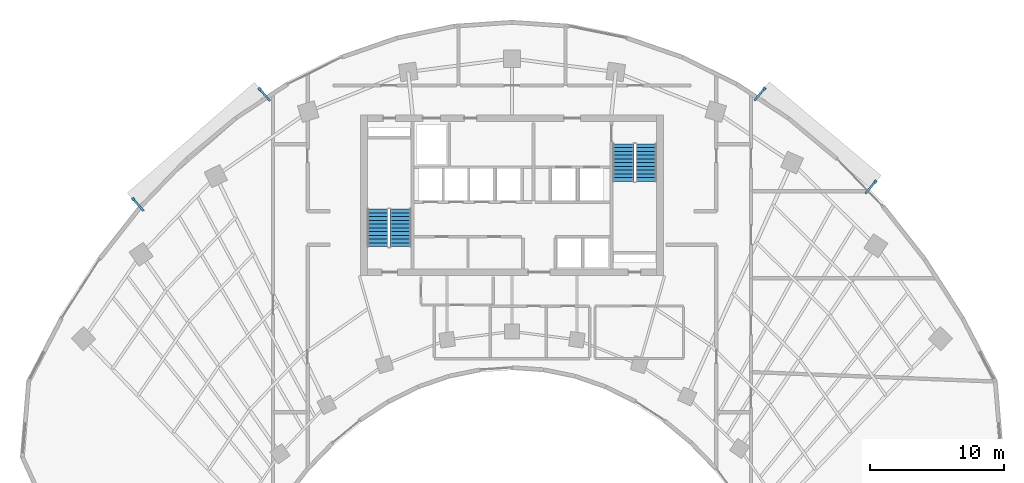
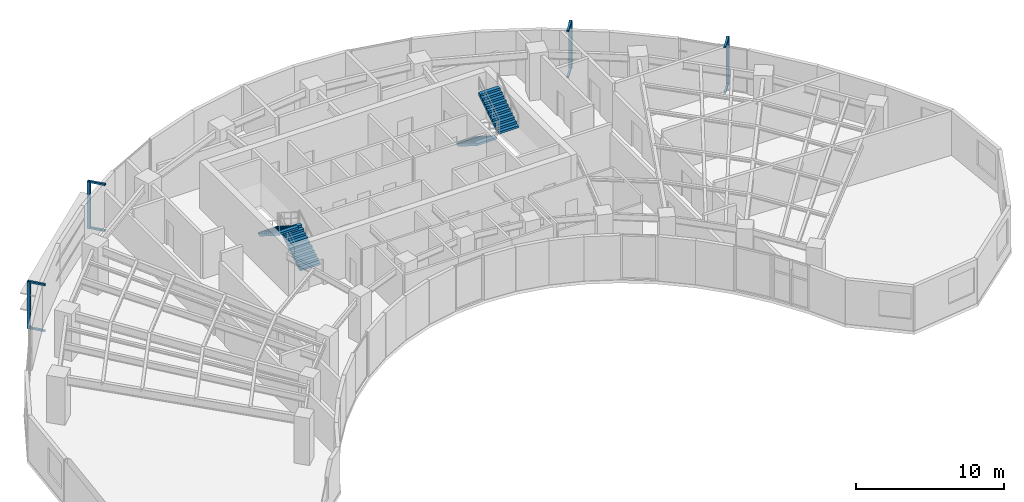
# One storey, part 12 of 14: 12 discrete accessories, 4 stair flights, 2 elements without a shape of their own.
"""IFC4 building model written with IfcOpenShell, lengths in metres."""

from ifc_helpers import new_model, si_unit, direction, frame, origin, origin_2d, place, context, subcontext, project, spatial, polyline, rectangle, outline, extrude, source, transform, mapped, material, type_object, type_shapes, element, aggregate, save


model = new_model("IFC4")

# Units and contexts
model_context = context("Model", 3, precision=1e-05, world=origin(), true_north=direction((0.0, 1.0)))
body_context = subcontext(model_context, "Body", "Model", "MODEL_VIEW")
ifc_project = project(units=[si_unit("LENGTHUNIT", "METRE"), si_unit("AREAUNIT", "SQUARE_METRE"), si_unit("VOLUMEUNIT", "CUBIC_METRE"), si_unit("PLANEANGLEUNIT", "RADIAN"), si_unit("MASSUNIT", "GRAM", prefix="KILO")], contexts=[model_context])

# Site, building, storey
site_placement = place(None, origin())
site = spatial("IfcSite", under=ifc_project, at=site_placement, CompositionType="ELEMENT")
building_placement = place(site_placement, origin())
building = spatial("IfcBuilding", under=site, at=building_placement, Name="Breltana Convention Tower", CompositionType="ELEMENT")
storey_placement = place(building_placement, frame((0.0, 0.0, 119.39990234375)))
storey = spatial("IfcBuildingStorey", under=building, at=storey_placement, Name="L28", CompositionType="ELEMENT", Elevation=119.39990234375)

# Stair, stair flights
ifc_material_1 = material(Name="Concrete C40/50", Category="concrete")
stair_type = type_object("IfcStairType", Name="ST-DOG-1560-R177", PredefinedType="HALF_TURN_STAIR", material=ifc_material_1)
stair_1_placement = place(storey_placement, origin())
stair_1 = element("IfcStair", 1, at=stair_1_placement, inside=storey, type_object=stair_type, Name="L28 Protected Core Exit Stair ST-1", PredefinedType="HALF_TURN_STAIR")
stair_flight_type = type_object("IfcStairFlightType", Name="STF-DOG-1560-N11-R177", PredefinedType="STRAIGHT", material=ifc_material_1)
stair_flight_1_placement = place(storey_placement, frame((39.68994140625, 62.360107421875, 0.0), z_axis=(0.0, 0.0, 1.0), x_axis=(0.0, 1.0, 0.0)))
stair_flight_1 = element("IfcStairFlight", 2, at=stair_flight_1_placement, type_object=stair_flight_type, Name="ST-1 flight 1", NumberOfRisers=11, NumberOfTreads=10, PredefinedType="STRAIGHT", RiserHeight=0.177272727, TreadLength=0.28, context=body_context, shape_type="SweptSolid", body=[
    extrude(outline(polyline([(0.0, 0.0), (0.0, 0.17724609375), (0.280029296875, 0.17724609375), (0.280029296875, 0.3544921875), (0.56005859375, 0.3544921875), (0.56005859375, 0.53173828125), (0.840087890625, 0.53173828125), (0.840087890625, 0.708984375), (1.1201171875, 0.708984375), (1.1201171875, 0.886474609375), (1.39990234375, 0.886474609375), (1.39990234375, 1.063720703125), (1.679931640625, 1.063720703125), (1.679931640625, 1.240966796875), (1.9599609375, 1.240966796875), (1.9599609375, 1.418212890625), (2.239990234375, 1.418212890625), (2.239990234375, 1.595458984375), (2.52001953125, 1.595458984375), (2.52001953125, 1.772705078125), (2.800048828125, 1.772705078125), (2.800048828125, 1.949951171875), (2.800048828125, 1.59521484375), (0.2802734375, 0.0), (0.0, 0.0)])), frame((0.0, 0.780029296875, 0.0), z_axis=(0.0, -1.0, 0.0), x_axis=(1.0, 0.0, 0.0)), (0.0, 0.0, 1.0), 1.56005859375),
])
stair_flight_2_placement = place(storey_placement, frame((37.97998046875, 65.159912109375, 1.9501953125), z_axis=(0.0, 0.0, 1.0), x_axis=(0.0, -1.0, 0.0)))
stair_flight_2 = element("IfcStairFlight", 3, at=stair_flight_2_placement, type_object=stair_flight_type, Name="ST-1 flight 2", NumberOfRisers=11, NumberOfTreads=10, PredefinedType="STRAIGHT", RiserHeight=0.177272727, TreadLength=0.28, context=body_context, shape_type="SweptSolid", body=[
    extrude(outline(polyline([(0.0, 0.0), (0.0, 0.17724609375), (0.280029296875, 0.17724609375), (0.280029296875, 0.3544921875), (0.56005859375, 0.3544921875), (0.56005859375, 0.53173828125), (0.840087890625, 0.53173828125), (0.840087890625, 0.708984375), (1.1201171875, 0.708984375), (1.1201171875, 0.886474609375), (1.39990234375, 0.886474609375), (1.39990234375, 1.063720703125), (1.679931640625, 1.063720703125), (1.679931640625, 1.240966796875), (1.9599609375, 1.240966796875), (1.9599609375, 1.418212890625), (2.239990234375, 1.418212890625), (2.239990234375, 1.595458984375), (2.52001953125, 1.595458984375), (2.52001953125, 1.772705078125), (2.800048828125, 1.772705078125), (2.800048828125, 1.949951171875), (2.800048828125, 1.59521484375), (0.2802734375, 0.0), (0.0, 0.0)])), frame((0.0, 0.780029296875, 0.0), z_axis=(0.0, -1.0, 0.0), x_axis=(1.0, 0.0, 0.0)), (0.0, 0.0, 1.0), 1.56005859375),
])
aggregate(stair_1, [stair_flight_1, stair_flight_2])

stair_2_placement = place(storey_placement, origin())
stair_2 = element("IfcStair", 4, at=stair_2_placement, inside=storey, type_object=stair_type, Name="L28 Protected Core Exit Stair ST-2", PredefinedType="HALF_TURN_STAIR")
stair_flight_3_placement = place(storey_placement, frame((56.31005859375, 70.0400390625, 0.0), z_axis=(0.0, 0.0, 1.0), x_axis=(0.0, -1.0, 0.0)))
stair_flight_3 = element("IfcStairFlight", 5, at=stair_flight_3_placement, type_object=stair_flight_type, Name="ST-2 flight 1", NumberOfRisers=11, NumberOfTreads=10, PredefinedType="STRAIGHT", RiserHeight=0.177272727, TreadLength=0.28, context=body_context, shape_type="SweptSolid", body=[
    extrude(outline(polyline([(0.0, 0.0), (0.0, 0.17724609375), (0.280029296875, 0.17724609375), (0.280029296875, 0.3544921875), (0.56005859375, 0.3544921875), (0.56005859375, 0.53173828125), (0.840087890625, 0.53173828125), (0.840087890625, 0.708984375), (1.1201171875, 0.708984375), (1.1201171875, 0.886474609375), (1.39990234375, 0.886474609375), (1.39990234375, 1.063720703125), (1.679931640625, 1.063720703125), (1.679931640625, 1.240966796875), (1.9599609375, 1.240966796875), (1.9599609375, 1.418212890625), (2.239990234375, 1.418212890625), (2.239990234375, 1.595458984375), (2.52001953125, 1.595458984375), (2.52001953125, 1.772705078125), (2.800048828125, 1.772705078125), (2.800048828125, 1.949951171875), (2.800048828125, 1.59521484375), (0.2802734375, 0.0), (0.0, 0.0)])), frame((0.0, 0.780029296875, 0.0), z_axis=(0.0, -1.0, 0.0), x_axis=(1.0, 0.0, 0.0)), (0.0, 0.0, 1.0), 1.56005859375),
])
stair_flight_4_placement = place(storey_placement, frame((58.02001953125, 67.239990234375, 1.9501953125), z_axis=(0.0, 0.0, 1.0), x_axis=(0.0, 1.0, 0.0)))
stair_flight_4 = element("IfcStairFlight", 6, at=stair_flight_4_placement, type_object=stair_flight_type, Name="ST-2 flight 2", NumberOfRisers=11, NumberOfTreads=10, PredefinedType="STRAIGHT", RiserHeight=0.177272727, TreadLength=0.28, context=body_context, shape_type="SweptSolid", body=[
    extrude(outline(polyline([(0.0, 0.0), (0.0, 0.17724609375), (0.280029296875, 0.17724609375), (0.280029296875, 0.3544921875), (0.56005859375, 0.3544921875), (0.56005859375, 0.53173828125), (0.840087890625, 0.53173828125), (0.840087890625, 0.708984375), (1.1201171875, 0.708984375), (1.1201171875, 0.886474609375), (1.39990234375, 0.886474609375), (1.39990234375, 1.063720703125), (1.679931640625, 1.063720703125), (1.679931640625, 1.240966796875), (1.9599609375, 1.240966796875), (1.9599609375, 1.418212890625), (2.239990234375, 1.418212890625), (2.239990234375, 1.595458984375), (2.52001953125, 1.595458984375), (2.52001953125, 1.772705078125), (2.800048828125, 1.772705078125), (2.800048828125, 1.949951171875), (2.800048828125, 1.59521484375), (0.2802734375, 0.0), (0.0, 0.0)])), frame((0.0, 0.780029296875, 0.0), z_axis=(0.0, -1.0, 0.0), x_axis=(1.0, 0.0, 0.0)), (0.0, 0.0, 1.0), 1.56005859375),
])
aggregate(stair_2, [stair_flight_3, stair_flight_4])

# Discrete accessories
ifc_material_2 = material(Name="Steel S355", Category="steel")
discrete_accessory_type_1 = type_object("IfcDiscreteAccessoryType", Name="ACC-DSF-BRACKET-150", PredefinedType="BRACKET", material=ifc_material_2)
shared_shape_1 = source(origin(), body_context, "Body", "SweptSolid", [
    extrude(rectangle(XDim=1.239990234375, YDim=0.14990234375, at=origin_2d()), origin(), (0.0, 0.0, 1.0), 0.139892578125),
])
type_shapes(discrete_accessory_type_1, [shared_shape_1])
for number, where, z_axis, x_axis, name in (
    (7, (20.080322265625, 65.49853515625, -0.15966796875), (0.0, 0.0, 1.0), (-0.656454255701, 0.754365833115, 0.0), "L28 double-skin slab stand-off bracket 1.1B"),
    (8, (20.080322265625, 65.49853515625, 3.650390625), (0.0, 0.0, 1.0), (-0.656454255701, 0.754365833115, 0.0), "L28 double-skin slab stand-off bracket 1.1T"),
    (9, (29.520751953125, 73.713623046875, -0.15966796875), (0.0, 0.0, 1.0), (-0.656454255701, 0.754365833115, 0.0), "L28 double-skin slab stand-off bracket 1.2B"),
    (10, (29.520751953125, 73.713623046875, 3.650390625), (0.0, 0.0, 1.0), (-0.656454255701, 0.754365833115, 0.0), "L28 double-skin slab stand-off bracket 1.2T"),
    (11, (66.487060546875, 73.735595703125, -0.15966796875), (0.0, 0.0, 1.0), (0.641987488939, 0.766715112702, 0.0), "L28 double-skin slab stand-off bracket 2.1B"),
    (12, (66.487060546875, 73.735595703125, 3.650390625), (0.0, 0.0, 1.0), (0.641987488939, 0.766715112702, 0.0), "L28 double-skin slab stand-off bracket 2.1T"),
    (13, (74.777099609375, 66.794189453125, -0.15966796875), (0.0, 0.0, 1.0), (0.641987488939, 0.766715112702, 0.0), "L28 double-skin slab stand-off bracket 2.2B"),
    (14, (74.777099609375, 66.794189453125, 3.650390625), (0.0, 0.0, 1.0), (0.641987488939, 0.766715112702, 0.0), "L28 double-skin slab stand-off bracket 2.2T"),
):
    element("IfcDiscreteAccessory", number, at=place(storey_placement, frame(where, z_axis=z_axis, x_axis=x_axis)), inside=storey, type_object=discrete_accessory_type_1, Name=name, PredefinedType="BRACKET", context=body_context, shape_type="MappedRepresentation", body=[
        mapped(shared_shape_1, transform((0.0, 0.0, 0.0), scale=1.0)),
    ])
discrete_accessory_type_2 = type_object("IfcDiscreteAccessoryType", Name="ACC-DSF-CARRIER-150", PredefinedType="BRACKET", material=ifc_material_2)
shared_shape_2 = source(origin(), body_context, "Body", "SweptSolid", [
    extrude(rectangle(XDim=0.219970703125, YDim=0.219970703125, at=origin_2d()), origin(), (0.0, 0.0, 1.0), 3.8701171875),
])
for number, where, z_axis, x_axis, name in (
    (15, (19.712646484375, 65.9208984375, -0.119873046875), (0.0, 0.0, 1.0), (-0.656454255701, 0.754365833115, 0.0), "L28 double-skin outer vertical carrier 1.1"),
    (16, (29.153076171875, 74.135986328125, -0.119873046875), (0.0, 0.0, 1.0), (-0.656454255701, 0.754365833115, 0.0), "L28 double-skin outer vertical carrier 1.2"),
    (17, (66.8466796875, 74.1650390625, -0.119873046875), (0.0, 0.0, 1.0), (0.641987488939, 0.766715112702, 0.0), "L28 double-skin outer vertical carrier 2.1"),
    (18, (75.13671875, 67.2236328125, -0.119873046875), (0.0, 0.0, 1.0), (0.641987488939, 0.766715112702, 0.0), "L28 double-skin outer vertical carrier 2.2"),
):
    element("IfcDiscreteAccessory", number, at=place(storey_placement, frame(where, z_axis=z_axis, x_axis=x_axis)), inside=storey, type_object=discrete_accessory_type_2, Name=name, PredefinedType="BRACKET", context=body_context, shape_type="MappedRepresentation", body=[
        mapped(shared_shape_2, transform((0.0, 0.0, 0.0), scale=1.0)),
    ])

save(model, "model.ifc")
